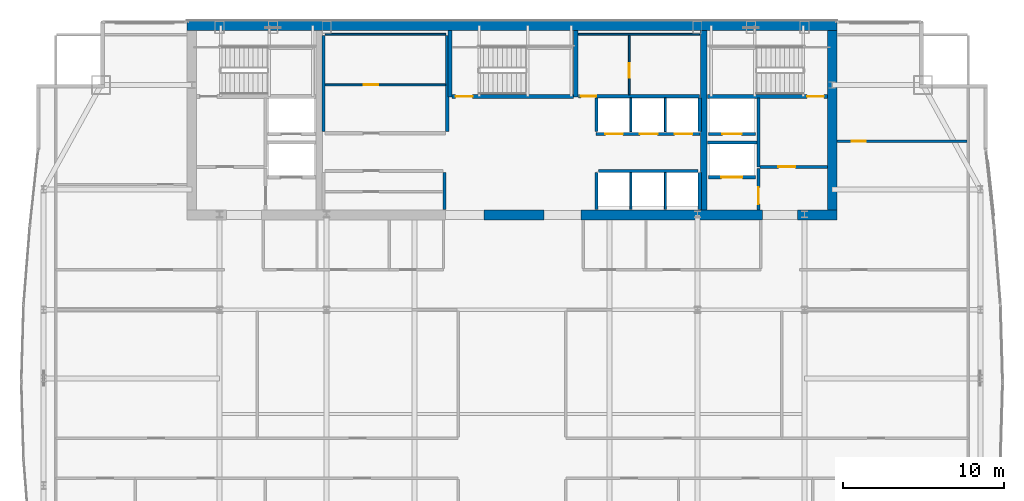
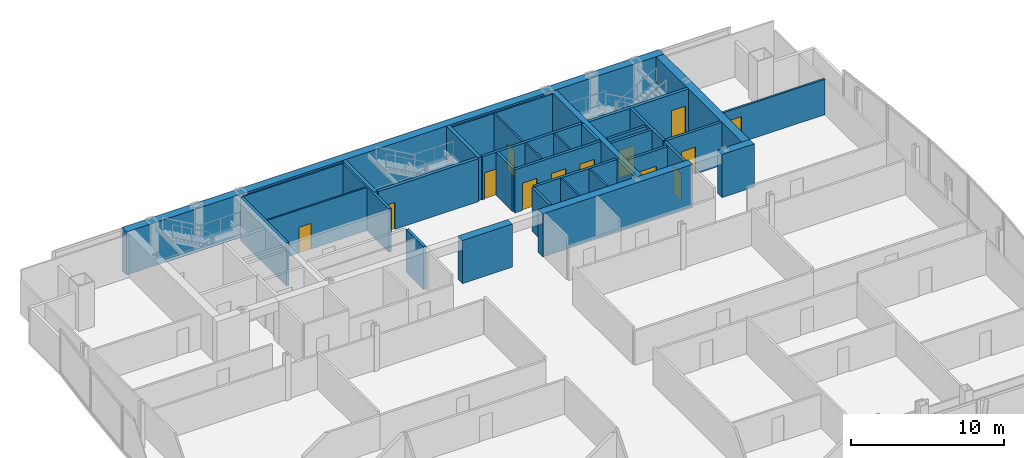
# One storey, part 29 of 32: 35 walls, 13 doors, 13 openings.
"""IFC4 building model written with IfcOpenShell, lengths in metres."""

from ifc_helpers import new_model, si_unit, direction, frame, frame_2d, origin, place, context, subcontext, project, spatial, rectangle, extrude, material, layer, layer_set, type_object, element, fill, save


model = new_model("IFC4")

# Units and contexts
model_context = context("Model", 3, precision=1e-05, world=origin(), true_north=direction((0.0, 1.0)))
body_context = subcontext(model_context, "Body", "Model", "MODEL_VIEW")
ifc_project = project(units=[si_unit("LENGTHUNIT", "METRE"), si_unit("AREAUNIT", "SQUARE_METRE"), si_unit("VOLUMEUNIT", "CUBIC_METRE"), si_unit("PLANEANGLEUNIT", "RADIAN"), si_unit("MASSUNIT", "GRAM", prefix="KILO")], contexts=[model_context])

# Site, building, storey
site_placement = place(None, origin())
site = spatial("IfcSite", under=ifc_project, at=site_placement, CompositionType="ELEMENT")
building_placement = place(site_placement, origin())
building = spatial("IfcBuilding", under=site, at=building_placement, Name="Khoronbel Lancet Exchange", CompositionType="ELEMENT")
storey_placement = place(building_placement, frame((0.0, 0.0, 195.800048828125)))
storey = spatial("IfcBuildingStorey", under=building, at=storey_placement, Name="L49", CompositionType="ELEMENT", Elevation=195.800048828125)

# Walls
ifc_material_1 = material(Name="Concrete C60/75", Category="concrete")
ifc_layer_1 = layer(ifc_material_1, 0.60009765625, Name="Concrete C60/75")
ifc_layer_set_1 = layer_set([ifc_layer_1], Name="Concrete C60/75")
wall_type_1 = type_object("IfcWallType", Name="WL-CW3", PredefinedType="SHEAR", material=ifc_layer_set_1)
wall_1_placement = place(storey_placement, frame((16.199951171875, 53.39990234375, 0.0), z_axis=(0.0, 0.0, 1.0), x_axis=(1.0, 0.0, 0.0)))
element("IfcWall", 1, at=wall_1_placement, inside=storey, type_object=wall_type_1, Name="Level L49 rear core north shear wall", PredefinedType="SHEAR", context=body_context, shape_type="SweptSolid", body=[
    extrude(rectangle(XDim=40.5, YDim=0.60009765625, at=frame_2d((20.25, 0.0))), origin(), (0.0, 0.0, 1.0), 3.43994140625),
])
wall_2_placement = place(storey_placement, frame((56.39990234375, 53.10009765625, 0.0), z_axis=(0.0, 0.0, 1.0), x_axis=(0.0, -1.0, 0.0)))
element("IfcWall", 2, at=wall_2_placement, inside=storey, type_object=wall_type_1, Name="Level L49 rear core east shear wall", PredefinedType="SHEAR", context=body_context, shape_type="SweptSolid", body=[
    extrude(rectangle(XDim=11.2001953125, YDim=0.60009765625, at=frame_2d((5.60009765625, 0.0))), origin(), (0.0, 0.0, 1.0), 3.43994140625),
])
wall_3_placement = place(storey_placement, frame((38.449951171875, 41.60009765625, 0.0), z_axis=(0.0, 0.0, 1.0), x_axis=(-1.0, 0.0, 0.0)))
element("IfcWall", 3, at=wall_3_placement, inside=storey, type_object=wall_type_1, Name="Level L49 rear core south shear wall pier P3", PredefinedType="SHEAR", context=body_context, shape_type="SweptSolid", body=[
    extrude(rectangle(XDim=3.75, YDim=0.60009765625, at=frame_2d((1.875, 0.0))), origin(), (0.0, 0.0, 1.0), 3.43994140625),
])
wall_4_placement = place(storey_placement, frame((52.050048828125, 41.60009765625, 0.0), z_axis=(0.0, 0.0, 1.0), x_axis=(-1.0, 0.0, 0.0)))
element("IfcWall", 4, at=wall_4_placement, inside=storey, type_object=wall_type_1, Name="Level L49 rear core south shear wall pier P4", PredefinedType="SHEAR", context=body_context, shape_type="SweptSolid", body=[
    extrude(rectangle(XDim=11.300048828125, YDim=0.60009765625, at=frame_2d((5.64990234375, 0.0))), origin(), (0.0, 0.0, 1.0), 3.43994140625),
])
wall_5_placement = place(storey_placement, frame((56.699951171875, 41.60009765625, 0.0), z_axis=(0.0, 0.0, 1.0), x_axis=(-1.0, 0.0, 0.0)))
element("IfcWall", 5, at=wall_5_placement, inside=storey, type_object=wall_type_1, Name="Level L49 rear core south shear wall pier P5", PredefinedType="SHEAR", context=body_context, shape_type="SweptSolid", body=[
    extrude(rectangle(XDim=2.449951171875, YDim=0.60009765625, at=frame_2d((1.22509765625, 0.0))), origin(), (0.0, 0.0, 1.0), 3.43994140625),
])

# Wall, opening, door
ifc_material_2 = material(Name="Acoustic Metal-Stud & Mineral-Wool Gypsum Partition 120 mm", Category="gypsum")
ifc_layer_2 = layer(ifc_material_2, 0.1201171875, Name="Acoustic Metal-Stud & Mineral-Wool Gypsum Partition 120 mm")
ifc_layer_set_2 = layer_set([ifc_layer_2], Name="Acoustic Metal-Stud & Mineral-Wool Gypsum Partition 120 mm")
wall_type_2 = type_object("IfcWallType", Name="WL-PRT120", PredefinedType="PARTITIONING", material=ifc_layer_set_2)
wall_6_placement = place(storey_placement, frame((56.699951171875, 46.199951171875, 0.0), z_axis=(0.0, 0.0, 1.0), x_axis=(1.0, 0.0, 0.0)))
wall_6 = element("IfcWall", 6, at=wall_6_placement, inside=storey, type_object=wall_type_2, Name="Level L49 interior partition PW-NE-H", PredefinedType="PARTITIONING", context=body_context, shape_type="SweptSolid", body=[
    extrude(rectangle(XDim=8.10498046875, YDim=0.14990234375, at=frame_2d((4.052490234375, 0.0))), origin(), (0.0, 0.0, 1.0), 2.829833984375),
])
opening_1_placement = place(wall_6_placement, frame((0.89990234375, 0.0, 0.0)))
opening_1 = element("IfcOpeningElement", 7, at=opening_1_placement, cuts=wall_6, Name="Opening D5", PredefinedType="OPENING", context=body_context, shape_type="SweptSolid", body=[
    extrude(rectangle(XDim=0.89990234375, YDim=2.050048828125, at=frame_2d((0.449951171875, 1.02490234375))), frame((0.0, 0.0849609375, 0.0), z_axis=(0.0, -1.0, 0.0), x_axis=(1.0, 0.0, 0.0)), (0.0, 0.0, 1.0), 0.169921875),
])
ifc_material_3 = material(Name="Acoustic Timber Pantry & Support Door", Category="wood")
door_type_1 = type_object("IfcDoorType", Name="DR-D5", OperationType="NOTDEFINED", PredefinedType="DOOR", material=ifc_material_3)
door_1_placement = place(opening_1_placement, origin())
door_1 = element("IfcDoor", 8, at=door_1_placement, inside=storey, type_object=door_type_1, Name="NE north room door L49-1", OperationType="SINGLE_SWING_LEFT", OverallHeight=2.050048828125, OverallWidth=0.89990234375, PredefinedType="DOOR", context=body_context, shape_type="SweptSolid", body=[
    extrude(rectangle(XDim=0.89990234375, YDim=2.050048828125, at=frame_2d((0.449951171875, 1.02490234375))), frame((0.0, 0.02490234375, 0.0), z_axis=(0.0, -1.0, 0.0), x_axis=(1.0, 0.0, 0.0)), (0.0, 0.0, 1.0), 0.050048828125),
])
fill(opening_1, door_1)

# Wall
ifc_material_4 = material(Name="Fire-Rated Metal-Stud & Mineral-Wool Gypsum Partition 120 mm", Category="gypsum")
ifc_layer_3 = layer(ifc_material_4, 0.1201171875, Name="Fire-Rated Metal-Stud & Mineral-Wool Gypsum Partition 120 mm")
ifc_layer_set_3 = layer_set([ifc_layer_3], Name="Fire-Rated Metal-Stud & Mineral-Wool Gypsum Partition 120 mm")
wall_type_3 = type_object("IfcWallType", Name="WL-PRT120F", PredefinedType="PARTITIONING", material=ifc_layer_set_3)
wall_7_placement = place(storey_placement, frame((24.804931640625, 52.860107421875, 0.0), z_axis=(0.0, 0.0, 1.0), x_axis=(1.0, 0.0, 0.0)))
element("IfcWall", 9, at=wall_7_placement, inside=storey, type_object=wall_type_3, Name="Level L49 interior partition CW-PL-RN", PredefinedType="PARTITIONING", context=body_context, shape_type="SweptSolid", body=[
    extrude(rectangle(XDim=7.510009765625, YDim=0.1201171875, at=frame_2d((3.7548828125, 0.0))), origin(), (0.0, 0.0, 1.0), 3.43994140625),
])

# Wall, opening, door
wall_8_placement = place(storey_placement, frame((24.804931640625, 49.708740234375, 0.0), z_axis=(0.0, 0.0, 1.0), x_axis=(1.0, 0.0, 0.0)))
wall_8 = element("IfcWall", 10, at=wall_8_placement, inside=storey, type_object=wall_type_3, Name="Level L49 interior partition CW-PL-RH", PredefinedType="PARTITIONING", context=body_context, shape_type="SweptSolid", body=[
    extrude(rectangle(XDim=7.510009765625, YDim=0.1201171875, at=frame_2d((3.7548828125, 0.0))), origin(), (0.0, 0.0, 1.0), 3.43994140625),
])
opening_2_placement = place(wall_8_placement, frame((2.39990234375, 0.0, 0.0)))
opening_2 = element("IfcOpeningElement", 11, at=opening_2_placement, cuts=wall_8, Name="Opening FD4", PredefinedType="OPENING", context=body_context, shape_type="SweptSolid", body=[
    extrude(rectangle(XDim=0.89990234375, YDim=2.050048828125, at=frame_2d((0.449951171875, 1.02490234375))), frame((0.0, 0.070068359375, 0.0), z_axis=(0.0, -1.0, 0.0), x_axis=(1.0, 0.0, 0.0)), (0.0, 0.0, 1.0), 0.14013671875),
])
ifc_material_5 = material(Name="Fire-Rated Steel Core Support Door Assembly", Category="steel")
door_type_2 = type_object("IfcDoorType", Name="DR-FD4", OperationType="NOTDEFINED", PredefinedType="DOOR", material=ifc_material_5)
door_2_placement = place(opening_2_placement, origin())
door_2 = element("IfcDoor", 12, at=door_2_placement, inside=storey, type_object=door_type_2, Name="Core PL inner store door L49-1", OperationType="SINGLE_SWING_LEFT", OverallHeight=2.050048828125, OverallWidth=0.89990234375, PredefinedType="DOOR", context=body_context, shape_type="SweptSolid", body=[
    extrude(rectangle(XDim=0.89990234375, YDim=2.050048828125, at=frame_2d((0.449951171875, 1.02490234375))), frame((0.0, 0.02490234375, 0.0), z_axis=(0.0, -1.0, 0.0), x_axis=(1.0, 0.0, 0.0)), (0.0, 0.0, 1.0), 0.050048828125),
])
fill(opening_2, door_2)

# Walls
for number, where, z_axis, x_axis, name in (
    (13, (43.860107421875, 46.800048828125, 0.0), (0.0, 0.0, 1.0), (0.0, 1.0, 0.0), "Level L49 interior partition CW-PH-D1"),
    (14, (46.0, 46.800048828125, 0.0), (0.0, 0.0, 1.0), (0.0, 1.0, 0.0), "Level L49 interior partition CW-PH-D2"),
):
    element("IfcWall", number, at=place(storey_placement, frame(where, z_axis=z_axis, x_axis=x_axis)), inside=storey, type_object=wall_type_3, Name=name, PredefinedType="PARTITIONING", context=body_context, shape_type="SweptSolid", body=[
        extrude(rectangle(XDim=2.094970703125, YDim=0.1201171875, at=frame_2d((1.04736328125, 0.0))), origin(), (0.0, 0.0, 1.0), 3.43994140625),
    ])
for number, where, z_axis, x_axis, name in (
    (15, (43.860107421875, 41.949951171875, 0.0), (0.0, 0.0, 1.0), (0.0, 1.0, 0.0), "Level L49 interior partition CW-PX-D1"),
    (16, (46.0, 41.949951171875, 0.0), (0.0, 0.0, 1.0), (0.0, 1.0, 0.0), "Level L49 interior partition CW-PX-D2"),
):
    element("IfcWall", number, at=place(storey_placement, frame(where, z_axis=z_axis, x_axis=x_axis)), inside=storey, type_object=wall_type_3, Name=name, PredefinedType="PARTITIONING", context=body_context, shape_type="SweptSolid", body=[
        extrude(rectangle(XDim=2.295166015625, YDim=0.1201171875, at=frame_2d((1.1474609375, 0.0))), origin(), (0.0, 0.0, 1.0), 3.43994140625),
    ])
wall_9_placement = place(storey_placement, frame((40.580078125, 52.860107421875, 0.0), z_axis=(0.0, 0.0, 1.0), x_axis=(1.0, 0.0, 0.0)))
element("IfcWall", 17, at=wall_9_placement, inside=storey, type_object=wall_type_3, Name="Level L49 interior partition CW-SUP-NE-N", PredefinedType="PARTITIONING", context=body_context, shape_type="SweptSolid", body=[
    extrude(rectangle(XDim=7.559814453125, YDim=0.1201171875, at=frame_2d((3.77978515625, 0.0))), origin(), (0.0, 0.0, 1.0), 3.43994140625),
])

# Wall, opening, door
wall_10_placement = place(storey_placement, frame((43.755126953125, 49.10498046875, 0.0), z_axis=(0.0, 0.0, 1.0), x_axis=(0.0, 1.0, 0.0)))
wall_10 = element("IfcWall", 18, at=wall_10_placement, inside=storey, type_object=wall_type_3, Name="Level L49 interior partition CW-SUP-NE-M", PredefinedType="PARTITIONING", context=body_context, shape_type="SweptSolid", body=[
    extrude(rectangle(XDim=3.68994140625, YDim=0.1201171875, at=frame_2d((1.844970703125, 0.0))), origin(), (0.0, 0.0, 1.0), 3.43994140625),
])
opening_3_placement = place(wall_10_placement, frame((1.050048828125, 0.0, 0.0)))
opening_3 = element("IfcOpeningElement", 19, at=opening_3_placement, cuts=wall_10, Name="Opening FD4", PredefinedType="OPENING", context=body_context, shape_type="SweptSolid", body=[
    extrude(rectangle(XDim=0.89990234375, YDim=2.050048828125, at=frame_2d((0.449951171875, 1.02490234375))), frame((0.0, 0.070068359375, 0.0), z_axis=(0.0, -1.0, 0.0), x_axis=(1.0, 0.0, 0.0)), (0.0, 0.0, 1.0), 0.14013671875),
])
door_3_placement = place(opening_3_placement, origin())
door_3 = element("IfcDoor", 20, at=door_3_placement, inside=storey, type_object=door_type_2, Name="Core NE inner support door L49-1", OperationType="SINGLE_SWING_RIGHT", OverallHeight=2.050048828125, OverallWidth=0.89990234375, PredefinedType="DOOR", context=body_context, shape_type="SweptSolid", body=[
    extrude(rectangle(XDim=0.89990234375, YDim=2.050048828125, at=frame_2d((0.449951171875, 1.02490234375))), frame((0.0, 0.02490234375, 0.0), z_axis=(0.0, -1.0, 0.0), x_axis=(1.0, 0.0, 0.0)), (0.0, 0.0, 1.0), 0.050048828125),
])
fill(opening_3, door_3)

ifc_material_6 = material(Name="Autoclaved Aerated Concrete Blockwork 200 mm", Category="masonry")
ifc_layer_4 = layer(ifc_material_6, 0.199951171875, Name="Autoclaved Aerated Concrete Blockwork 200 mm")
ifc_layer_set_4 = layer_set([ifc_layer_4], Name="Autoclaved Aerated Concrete Blockwork 200 mm")
wall_type_4 = type_object("IfcWallType", Name="WL-PRT200", PredefinedType="PARTITIONING", material=ifc_layer_set_4)
wall_11_placement = place(storey_placement, frame((51.610107421875, 43.949951171875, 0.0), z_axis=(0.0, 0.0, 1.0), x_axis=(-1.0, 0.0, 0.0)))
wall_11 = element("IfcWall", 21, at=wall_11_placement, inside=storey, type_object=wall_type_4, Name="Level L49 elevator hoistway landing front wall SVLE", PredefinedType="PARTITIONING", context=body_context, shape_type="SweptSolid", body=[
    extrude(rectangle(XDim=2.920166015625, YDim=0.199951171875, at=frame_2d((1.4599609375, 0.0))), origin(), (0.0, 0.0, 1.0), 3.43994140625),
])
opening_4_placement = place(wall_11_placement, frame((0.81005859375, 0.0, 0.0)))
opening_4 = element("IfcOpeningElement", 22, at=opening_4_placement, cuts=wall_11, Name="Opening LD-SVL2", PredefinedType="OPENING", context=body_context, shape_type="SweptSolid", body=[
    extrude(rectangle(XDim=1.300048828125, YDim=2.179931640625, at=frame_2d((0.64990234375, 1.08984375))), frame((0.0, 0.10986328125, 0.0), z_axis=(0.0, -1.0, 0.0), x_axis=(1.0, 0.0, 0.0)), (0.0, 0.0, 1.0), 0.219970703125),
])
ifc_material_7 = material(Name="Heavy-Duty Bi-Parting Goods Lift Landing Door", Category="steel")
door_type_3 = type_object("IfcDoorType", Name="DR-LD-SVL", OperationType="NOTDEFINED", PredefinedType="DOOR", material=ifc_material_7)
door_4_placement = place(opening_4_placement, origin())
door_4 = element("IfcDoor", 23, at=door_4_placement, inside=storey, type_object=door_type_3, Name="Elevator landing sliding door LD-SVL2 L49", OperationType="SLIDING_TO_LEFT", OverallHeight=2.179931640625, OverallWidth=1.300048828125, PredefinedType="DOOR", context=body_context, shape_type="SweptSolid", body=[
    extrude(rectangle(XDim=1.300048828125, YDim=2.179931640625, at=frame_2d((0.64990234375, 1.08984375))), frame((0.0, 0.02490234375, 0.0), z_axis=(0.0, -1.0, 0.0), x_axis=(1.0, 0.0, 0.0)), (0.0, 0.0, 1.0), 0.050048828125),
])
fill(opening_4, door_4)

wall_12_placement = place(storey_placement, frame((51.610107421875, 46.64990234375, 0.0), z_axis=(0.0, 0.0, 1.0), x_axis=(-1.0, 0.0, 0.0)))
wall_12 = element("IfcWall", 24, at=wall_12_placement, inside=storey, type_object=wall_type_4, Name="Level L49 elevator hoistway landing front wall FFLE", PredefinedType="PARTITIONING", context=body_context, shape_type="SweptSolid", body=[
    extrude(rectangle(XDim=2.920166015625, YDim=0.199951171875, at=frame_2d((1.4599609375, 0.0))), origin(), (0.0, 0.0, 1.0), 3.43994140625),
])
opening_5_placement = place(wall_12_placement, frame((0.860107421875, 0.0, 0.0)))
opening_5 = element("IfcOpeningElement", 25, at=opening_5_placement, cuts=wall_12, Name="Opening LD-FFL2", PredefinedType="OPENING", context=body_context, shape_type="SweptSolid", body=[
    extrude(rectangle(XDim=1.199951171875, YDim=2.179931640625, at=frame_2d((0.60009765625, 1.08984375))), frame((0.0, 0.10986328125, 0.0), z_axis=(0.0, -1.0, 0.0), x_axis=(1.0, 0.0, 0.0)), (0.0, 0.0, 1.0), 0.219970703125),
])
ifc_material_8 = material(Name="Fire-Rated Stainless Bi-Parting Firefighting Lift Door", Category="steel")
door_type_4 = type_object("IfcDoorType", Name="DR-LD-FFL", OperationType="NOTDEFINED", PredefinedType="DOOR", material=ifc_material_8)
door_5_placement = place(opening_5_placement, origin())
door_5 = element("IfcDoor", 26, at=door_5_placement, inside=storey, type_object=door_type_4, Name="Elevator landing sliding door LD-FFL2 L49", OperationType="SLIDING_TO_LEFT", OverallHeight=2.179931640625, OverallWidth=1.199951171875, PredefinedType="DOOR", context=body_context, shape_type="SweptSolid", body=[
    extrude(rectangle(XDim=1.199951171875, YDim=2.179931640625, at=frame_2d((0.60009765625, 1.08984375))), frame((0.0, 0.02490234375, 0.0), z_axis=(0.0, -1.0, 0.0), x_axis=(1.0, 0.0, 0.0)), (0.0, 0.0, 1.0), 0.050048828125),
])
fill(opening_5, door_5)

# Wall, openings, doors
wall_13_placement = place(storey_placement, frame((48.159912109375, 46.64990234375, 0.0), z_axis=(0.0, 0.0, 1.0), x_axis=(-1.0, 0.0, 0.0)))
wall_13 = element("IfcWall", 27, at=wall_13_placement, inside=storey, type_object=wall_type_4, Name="Level L49 elevator hoistway landing front wall PHE", PredefinedType="PARTITIONING", context=body_context, shape_type="SweptSolid", body=[
    extrude(rectangle(XDim=6.47998046875, YDim=0.199951171875, at=frame_2d((3.239990234375, 0.0))), origin(), (0.0, 0.0, 1.0), 3.43994140625),
])
opening_6_placement = place(wall_13_placement, frame((4.800048828125, 0.0, 0.0)))
opening_6 = element("IfcOpeningElement", 28, at=opening_6_placement, cuts=wall_13, Name="Opening LD-PH1", PredefinedType="OPENING", context=body_context, shape_type="SweptSolid", body=[
    extrude(rectangle(XDim=1.10009765625, YDim=2.179931640625, at=frame_2d((0.550048828125, 1.08984375))), frame((0.0, 0.10986328125, 0.0), z_axis=(0.0, -1.0, 0.0), x_axis=(1.0, 0.0, 0.0)), (0.0, 0.0, 1.0), 0.219970703125),
])
opening_7_placement = place(wall_13_placement, frame((2.639892578125, 0.0, 0.0)))
opening_7 = element("IfcOpeningElement", 29, at=opening_7_placement, cuts=wall_13, Name="Opening LD-PH2", PredefinedType="OPENING", context=body_context, shape_type="SweptSolid", body=[
    extrude(rectangle(XDim=1.10009765625, YDim=2.179931640625, at=frame_2d((0.550048828125, 1.08984375))), frame((0.0, 0.10986328125, 0.0), z_axis=(0.0, -1.0, 0.0), x_axis=(1.0, 0.0, 0.0)), (0.0, 0.0, 1.0), 0.219970703125),
])
opening_8_placement = place(wall_13_placement, frame((0.47998046875, 0.0, 0.0)))
opening_8 = element("IfcOpeningElement", 30, at=opening_8_placement, cuts=wall_13, Name="Opening LD-PH3", PredefinedType="OPENING", context=body_context, shape_type="SweptSolid", body=[
    extrude(rectangle(XDim=1.10009765625, YDim=2.179931640625, at=frame_2d((0.550048828125, 1.08984375))), frame((0.0, 0.10986328125, 0.0), z_axis=(0.0, -1.0, 0.0), x_axis=(1.0, 0.0, 0.0)), (0.0, 0.0, 1.0), 0.219970703125),
])
ifc_material_9 = material(Name="Brushed Bronze Bi-Parting Elevator Landing Door", Category="steel")
door_type_5 = type_object("IfcDoorType", Name="DR-LD-PAX", OperationType="NOTDEFINED", PredefinedType="DOOR", material=ifc_material_9)
door_6_placement = place(opening_6_placement, origin())
door_6 = element("IfcDoor", 31, at=door_6_placement, inside=storey, type_object=door_type_5, Name="Elevator landing sliding door LD-PH1 L49", OperationType="SLIDING_TO_LEFT", OverallHeight=2.179931640625, OverallWidth=1.10009765625, PredefinedType="DOOR", context=body_context, shape_type="SweptSolid", body=[
    extrude(rectangle(XDim=1.10009765625, YDim=2.179931640625, at=frame_2d((0.550048828125, 1.08984375))), frame((0.0, 0.02490234375, 0.0), z_axis=(0.0, -1.0, 0.0), x_axis=(1.0, 0.0, 0.0)), (0.0, 0.0, 1.0), 0.050048828125),
])
fill(opening_6, door_6)
door_7_placement = place(opening_7_placement, origin())
door_7 = element("IfcDoor", 32, at=door_7_placement, inside=storey, type_object=door_type_5, Name="Elevator landing sliding door LD-PH2 L49", OperationType="SLIDING_TO_LEFT", OverallHeight=2.179931640625, OverallWidth=1.10009765625, PredefinedType="DOOR", context=body_context, shape_type="SweptSolid", body=[
    extrude(rectangle(XDim=1.10009765625, YDim=2.179931640625, at=frame_2d((0.550048828125, 1.08984375))), frame((0.0, 0.02490234375, 0.0), z_axis=(0.0, -1.0, 0.0), x_axis=(1.0, 0.0, 0.0)), (0.0, 0.0, 1.0), 0.050048828125),
])
fill(opening_7, door_7)
door_8_placement = place(opening_8_placement, origin())
door_8 = element("IfcDoor", 33, at=door_8_placement, inside=storey, type_object=door_type_5, Name="Elevator landing sliding door LD-PH3 L49", OperationType="SLIDING_TO_LEFT", OverallHeight=2.179931640625, OverallWidth=1.10009765625, PredefinedType="DOOR", context=body_context, shape_type="SweptSolid", body=[
    extrude(rectangle(XDim=1.10009765625, YDim=2.179931640625, at=frame_2d((0.550048828125, 1.08984375))), frame((0.0, 0.02490234375, 0.0), z_axis=(0.0, -1.0, 0.0), x_axis=(1.0, 0.0, 0.0)), (0.0, 0.0, 1.0), 0.050048828125),
])
fill(opening_8, door_8)

# Wall
wall_14_placement = place(storey_placement, frame((51.800048828125, 44.60009765625, 0.0), z_axis=(0.0, 0.0, 1.0), x_axis=(0.0, 1.0, 0.0)))
element("IfcWall", 34, at=wall_14_placement, inside=storey, type_object=wall_type_4, Name="Level L49 interior partition CW-FFLE-W", PredefinedType="PARTITIONING", context=body_context, shape_type="SweptSolid", body=[
    extrude(rectangle(XDim=4.2998046875, YDim=0.199951171875, at=frame_2d((2.14990234375, 0.0))), origin(), (0.0, 0.0, 1.0), 3.43994140625),
])

# Wall, opening, door
wall_15_placement = place(storey_placement, frame((51.89990234375, 44.60009765625, 0.0), z_axis=(0.0, 0.0, 1.0), x_axis=(1.0, 0.0, 0.0)))
wall_15 = element("IfcWall", 35, at=wall_15_placement, inside=storey, type_object=wall_type_4, Name="Level L49 interior partition CW-FFLE-S", PredefinedType="PARTITIONING", context=body_context, shape_type="SweptSolid", body=[
    extrude(rectangle(XDim=4.2001953125, YDim=0.199951171875, at=frame_2d((2.10009765625, 0.0))), origin(), (0.0, 0.0, 1.0), 3.43994140625),
])
opening_9_placement = place(wall_15_placement, frame((1.14990234375, 0.0, 0.0)))
opening_9 = element("IfcOpeningElement", 36, at=opening_9_placement, cuts=wall_15, Name="Opening FD1", PredefinedType="OPENING", context=body_context, shape_type="SweptSolid", body=[
    extrude(rectangle(XDim=1.050048828125, YDim=2.14990234375, at=frame_2d((0.52490234375, 1.074951171875))), frame((0.0, 0.10986328125, 0.0), z_axis=(0.0, -1.0, 0.0), x_axis=(1.0, 0.0, 0.0)), (0.0, 0.0, 1.0), 0.219970703125),
])
ifc_material_10 = material(Name="Fire-Rated Painted Steel Door Assembly", Category="steel")
door_type_6 = type_object("IfcDoorType", Name="DR-FD1", OperationType="NOTDEFINED", PredefinedType="DOOR", material=ifc_material_10)
door_9_placement = place(opening_9_placement, origin())
door_9 = element("IfcDoor", 37, at=door_9_placement, inside=storey, type_object=door_type_6, Name="East firefighting lobby FD90S door L49-1", OperationType="SINGLE_SWING_LEFT", OverallHeight=2.14990234375, OverallWidth=1.050048828125, PredefinedType="DOOR", context=body_context, shape_type="SweptSolid", body=[
    extrude(rectangle(XDim=1.050048828125, YDim=2.14990234375, at=frame_2d((0.52490234375, 1.074951171875))), frame((0.0, 0.02490234375, 0.0), z_axis=(0.0, -1.0, 0.0), x_axis=(1.0, 0.0, 0.0)), (0.0, 0.0, 1.0), 0.050048828125),
])
fill(opening_9, door_9)

# Wall
wall_16_placement = place(storey_placement, frame((48.6298828125, 46.1201171875, 0.0), z_axis=(0.0, 0.0, 1.0), x_axis=(1.0, 0.0, 0.0)))
element("IfcWall", 38, at=wall_16_placement, inside=storey, type_object=wall_type_4, Name="Level L49 interior partition CW-FFL2-S", PredefinedType="PARTITIONING", context=body_context, shape_type="SweptSolid", body=[
    extrude(rectangle(XDim=3.070068359375, YDim=0.199951171875, at=frame_2d((1.53515625, 0.0))), origin(), (0.0, 0.0, 1.0), 3.43994140625),
])

# Wall, opening, door
wall_17_placement = place(storey_placement, frame((51.800048828125, 41.89990234375, 0.0), z_axis=(0.0, 0.0, 1.0), x_axis=(0.0, 1.0, 0.0)))
wall_17 = element("IfcWall", 39, at=wall_17_placement, inside=storey, type_object=wall_type_4, Name="Level L49 interior partition CW-SVLE-E", PredefinedType="PARTITIONING", context=body_context, shape_type="SweptSolid", body=[
    extrude(rectangle(XDim=2.59521484375, YDim=0.199951171875, at=frame_2d((1.297607421875, 0.0))), origin(), (0.0, 0.0, 1.0), 3.43994140625),
])
opening_10_placement = place(wall_17_placement, frame((0.3798828125, 0.0, 0.0)))
opening_10 = element("IfcOpeningElement", 40, at=opening_10_placement, cuts=wall_17, Name="Opening FD1", PredefinedType="OPENING", context=body_context, shape_type="SweptSolid", body=[
    extrude(rectangle(XDim=1.050048828125, YDim=2.14990234375, at=frame_2d((0.52490234375, 1.074951171875))), frame((0.0, 0.10986328125, 0.0), z_axis=(0.0, -1.0, 0.0), x_axis=(1.0, 0.0, 0.0)), (0.0, 0.0, 1.0), 0.219970703125),
])
door_10_placement = place(opening_10_placement, origin())
door_10 = element("IfcDoor", 41, at=door_10_placement, inside=storey, type_object=door_type_6, Name="East service lift lobby door L49-1", OperationType="SINGLE_SWING_RIGHT", OverallHeight=2.14990234375, OverallWidth=1.050048828125, PredefinedType="DOOR", context=body_context, shape_type="SweptSolid", body=[
    extrude(rectangle(XDim=1.050048828125, YDim=2.14990234375, at=frame_2d((0.52490234375, 1.074951171875))), frame((0.0, 0.02490234375, 0.0), z_axis=(0.0, -1.0, 0.0), x_axis=(1.0, 0.0, 0.0)), (0.0, 0.0, 1.0), 0.050048828125),
])
fill(opening_10, door_10)

# Walls
for number, where, z_axis, x_axis, name in (
    (42, (24.699951171875, 46.804931640625, 0.0), (0.0, 0.0, 1.0), (0.0, 1.0, 0.0), "Level L49 interior partition CW-PL-RW"),
    (43, (32.419921875, 46.804931640625, 0.0), (0.0, 0.0, 1.0), (0.0, 1.0, 0.0), "Level L49 interior partition CW-PL-RE"),
):
    element("IfcWall", number, at=place(storey_placement, frame(where, z_axis=z_axis, x_axis=x_axis)), inside=storey, type_object=wall_type_4, Name=name, PredefinedType="PARTITIONING", context=body_context, shape_type="SweptSolid", body=[
        extrude(rectangle(XDim=5.989990234375, YDim=0.199951171875, at=frame_2d((2.9951171875, 0.0))), origin(), (0.0, 0.0, 1.0), 3.43994140625),
    ])
wall_18_placement = place(storey_placement, frame((32.25, 41.949951171875, 0.0), z_axis=(0.0, 0.0, 1.0), x_axis=(0.0, 1.0, 0.0)))
element("IfcWall", 44, at=wall_18_placement, inside=storey, type_object=wall_type_4, Name="Level L49 interior partition CW-PM-RE", PredefinedType="PARTITIONING", context=body_context, shape_type="SweptSolid", body=[
    extrude(rectangle(XDim=2.295166015625, YDim=0.199951171875, at=frame_2d((1.1474609375, 0.0))), origin(), (0.0, 0.0, 1.0), 3.43994140625),
])
for number, where, z_axis, x_axis, name in (
    (45, (41.719970703125, 46.800048828125, 0.0), (0.0, 0.0, 1.0), (0.0, 1.0, 0.0), "Level L49 interior partition CW-PH-W"),
    (46, (48.139892578125, 46.800048828125, 0.0), (0.0, 0.0, 1.0), (0.0, 1.0, 0.0), "Level L49 interior partition CW-PH-E"),
):
    element("IfcWall", number, at=place(storey_placement, frame(where, z_axis=z_axis, x_axis=x_axis)), inside=storey, type_object=wall_type_4, Name=name, PredefinedType="PARTITIONING", context=body_context, shape_type="SweptSolid", body=[
        extrude(rectangle(XDim=2.094970703125, YDim=0.199951171875, at=frame_2d((1.04736328125, 0.0))), origin(), (0.0, 0.0, 1.0), 3.43994140625),
    ])
wall_19_placement = place(storey_placement, frame((41.824951171875, 44.35009765625, 0.0), z_axis=(0.0, 0.0, 1.0), x_axis=(1.0, 0.0, 0.0)))
element("IfcWall", 47, at=wall_19_placement, inside=storey, type_object=wall_type_4, Name="Level L49 interior partition CW-PX-EXP", PredefinedType="PARTITIONING", context=body_context, shape_type="SweptSolid", body=[
    extrude(rectangle(XDim=6.2099609375, YDim=0.199951171875, at=frame_2d((3.10498046875, 0.0))), origin(), (0.0, 0.0, 1.0), 3.43994140625),
])
for number, where, z_axis, x_axis, name in (
    (48, (41.719970703125, 41.949951171875, 0.0), (0.0, 0.0, 1.0), (0.0, 1.0, 0.0), "Level L49 interior partition CW-PX-W"),
    (49, (48.139892578125, 41.949951171875, 0.0), (0.0, 0.0, 1.0), (0.0, 1.0, 0.0), "Level L49 interior partition CW-PX-E"),
):
    element("IfcWall", number, at=place(storey_placement, frame(where, z_axis=z_axis, x_axis=x_axis)), inside=storey, type_object=wall_type_4, Name=name, PredefinedType="PARTITIONING", context=body_context, shape_type="SweptSolid", body=[
        extrude(rectangle(XDim=2.295166015625, YDim=0.199951171875, at=frame_2d((1.1474609375, 0.0))), origin(), (0.0, 0.0, 1.0), 3.43994140625),
    ])

# Wall, opening, door
wall_20_placement = place(storey_placement, frame((40.580078125, 49.0, 0.0), z_axis=(0.0, 0.0, 1.0), x_axis=(1.0, 0.0, 0.0)))
wall_20 = element("IfcWall", 50, at=wall_20_placement, inside=storey, type_object=wall_type_4, Name="Level L49 interior partition CW-SUP-NE-S", PredefinedType="PARTITIONING", context=body_context, shape_type="SweptSolid", body=[
    extrude(rectangle(XDim=7.559814453125, YDim=0.199951171875, at=frame_2d((3.77978515625, 0.0))), origin(), (0.0, 0.0, 1.0), 3.43994140625),
])
opening_11_placement = place(wall_20_placement, frame((0.159912109375, 0.0, 0.0)))
opening_11 = element("IfcOpeningElement", 51, at=opening_11_placement, cuts=wall_20, Name="Opening FD3", PredefinedType="OPENING", context=body_context, shape_type="SweptSolid", body=[
    extrude(rectangle(XDim=0.949951171875, YDim=2.10009765625, at=frame_2d((0.47509765625, 1.050048828125))), frame((0.0, 0.10986328125, 0.0), z_axis=(0.0, -1.0, 0.0), x_axis=(1.0, 0.0, 0.0)), (0.0, 0.0, 1.0), 0.219970703125),
])
ifc_material_11 = material(Name="Fire-Rated Steel Plant & Riser Door Assembly", Category="steel")
door_type_7 = type_object("IfcDoorType", Name="DR-FD3", OperationType="NOTDEFINED", PredefinedType="DOOR", material=ifc_material_11)
door_11_placement = place(opening_11_placement, origin())
door_11 = element("IfcDoor", 52, at=door_11_placement, inside=storey, type_object=door_type_7, Name="Core NE support room door L49-1", OperationType="SINGLE_SWING_LEFT", OverallHeight=2.10009765625, OverallWidth=0.949951171875, PredefinedType="DOOR", context=body_context, shape_type="SweptSolid", body=[
    extrude(rectangle(XDim=0.949951171875, YDim=2.10009765625, at=frame_2d((0.47509765625, 1.050048828125))), frame((0.0, 0.02490234375, 0.0), z_axis=(0.0, -1.0, 0.0), x_axis=(1.0, 0.0, 0.0)), (0.0, 0.0, 1.0), 0.050048828125),
])
fill(opening_11, door_11)

# Walls
ifc_layer_5 = layer(ifc_material_1, 0.39990234375, Name="Concrete C60/75")
ifc_layer_set_5 = layer_set([ifc_layer_5], Name="Concrete C60/75")
wall_type_5 = type_object("IfcWallType", Name="WL-SW2", PredefinedType="SHEAR", material=ifc_layer_set_5)
wall_21_placement = place(storey_placement, frame((48.39990234375, 41.89990234375, 0.0), z_axis=(0.0, 0.0, 1.0), x_axis=(0.0, 1.0, 0.0)))
element("IfcWall", 53, at=wall_21_placement, inside=storey, type_object=wall_type_5, Name="Level L49 rear core internal spine shear wall IE", PredefinedType="SHEAR", context=body_context, shape_type="SweptSolid", body=[
    extrude(rectangle(XDim=11.2001953125, YDim=0.39990234375, at=frame_2d((5.60009765625, 0.0))), origin(), (0.0, 0.0, 1.0), 3.43994140625),
])
ifc_layer_6 = layer(ifc_material_1, 0.260009765625, Name="Concrete C60/75")
ifc_layer_set_6 = layer_set([ifc_layer_6], Name="Concrete C60/75")
wall_type_6 = type_object("IfcWallType", Name="WL-SW3", PredefinedType="SHEAR", material=ifc_layer_set_6)
for number, where, z_axis, x_axis, name in (
    (54, (32.580078125, 48.949951171875, 0.0), (0.0, 0.0, 1.0), (0.0, 1.0, 0.0), "Level L49 central stairwell structural shear wall ST3W"),
    (55, (40.419921875, 48.949951171875, 0.0), (0.0, 0.0, 1.0), (0.0, 1.0, 0.0), "Level L49 central stairwell structural shear wall ST3E"),
):
    element("IfcWall", number, at=place(storey_placement, frame(where, z_axis=z_axis, x_axis=x_axis)), inside=storey, type_object=wall_type_6, Name=name, PredefinedType="SHEAR", context=body_context, shape_type="SweptSolid", body=[
        extrude(rectangle(XDim=4.150146484375, YDim=0.260009765625, at=frame_2d((2.0751953125, 0.0))), origin(), (0.0, 0.0, 1.0), 3.43994140625),
    ])

# Wall, opening, door
wall_22_placement = place(storey_placement, frame((48.6298828125, 48.97998046875, 0.0), z_axis=(0.0, 0.0, 1.0), x_axis=(1.0, 0.0, 0.0)))
wall_22 = element("IfcWall", 56, at=wall_22_placement, inside=storey, type_object=wall_type_6, Name="Level L49 east stairwell structural south wall", PredefinedType="SHEAR", context=body_context, shape_type="SweptSolid", body=[
    extrude(rectangle(XDim=7.47021484375, YDim=0.239990234375, at=frame_2d((3.735107421875, 0.0))), origin(), (0.0, 0.0, 1.0), 3.43994140625),
])
opening_12_placement = place(wall_22_placement, frame((6.199951171875, 0.0, 0.0)))
opening_12 = element("IfcOpeningElement", 57, at=opening_12_placement, cuts=wall_22, Name="Opening SD1", PredefinedType="OPENING", context=body_context, shape_type="SweptSolid", body=[
    extrude(rectangle(XDim=1.050048828125, YDim=2.14990234375, at=frame_2d((0.52490234375, 1.074951171875))), frame((0.0, 0.1298828125, 0.0), z_axis=(0.0, -1.0, 0.0), x_axis=(1.0, 0.0, 0.0)), (0.0, 0.0, 1.0), 0.260009765625),
])
ifc_material_12 = material(Name="Fire-Rated Steel Stairwell Door Assembly", Category="steel")
door_type_8 = type_object("IfcDoorType", Name="DR-SD1", OperationType="NOTDEFINED", PredefinedType="DOOR", material=ifc_material_12)
door_12_placement = place(opening_12_placement, origin())
door_12 = element("IfcDoor", 58, at=door_12_placement, inside=storey, type_object=door_type_8, Name="Protected exit stair ST2 door L49", OperationType="SINGLE_SWING_RIGHT", OverallHeight=2.14990234375, OverallWidth=1.050048828125, PredefinedType="DOOR", context=body_context, shape_type="SweptSolid", body=[
    extrude(rectangle(XDim=1.050048828125, YDim=2.14990234375, at=frame_2d((0.52490234375, 1.074951171875))), frame((0.0, 0.02490234375, 0.0), z_axis=(0.0, -1.0, 0.0), x_axis=(1.0, 0.0, 0.0)), (0.0, 0.0, 1.0), 0.050048828125),
])
fill(opening_12, door_12)

wall_23_placement = place(storey_placement, frame((32.719970703125, 48.97998046875, 0.0), z_axis=(0.0, 0.0, 1.0), x_axis=(1.0, 0.0, 0.0)))
wall_23 = element("IfcWall", 59, at=wall_23_placement, inside=storey, type_object=wall_type_6, Name="Level L49 central stairwell structural south wall", PredefinedType="SHEAR", context=body_context, shape_type="SweptSolid", body=[
    extrude(rectangle(XDim=7.56005859375, YDim=0.239990234375, at=frame_2d((3.780029296875, 0.0))), origin(), (0.0, 0.0, 1.0), 3.43994140625),
])
opening_13_placement = place(wall_23_placement, frame((0.219970703125, 0.0, 0.0)))
opening_13 = element("IfcOpeningElement", 60, at=opening_13_placement, cuts=wall_23, Name="Opening SD1", PredefinedType="OPENING", context=body_context, shape_type="SweptSolid", body=[
    extrude(rectangle(XDim=1.050048828125, YDim=2.14990234375, at=frame_2d((0.52490234375, 1.074951171875))), frame((0.0, 0.1298828125, 0.0), z_axis=(0.0, -1.0, 0.0), x_axis=(1.0, 0.0, 0.0)), (0.0, 0.0, 1.0), 0.260009765625),
])
door_13_placement = place(opening_13_placement, origin())
door_13 = element("IfcDoor", 61, at=door_13_placement, inside=storey, type_object=door_type_8, Name="Protected exit stair ST3 door L49", OperationType="SINGLE_SWING_LEFT", OverallHeight=2.14990234375, OverallWidth=1.050048828125, PredefinedType="DOOR", context=body_context, shape_type="SweptSolid", body=[
    extrude(rectangle(XDim=1.050048828125, YDim=2.14990234375, at=frame_2d((0.52490234375, 1.074951171875))), frame((0.0, 0.02490234375, 0.0), z_axis=(0.0, -1.0, 0.0), x_axis=(1.0, 0.0, 0.0)), (0.0, 0.0, 1.0), 0.050048828125),
])
fill(opening_13, door_13)

save(model, "model.ifc")
